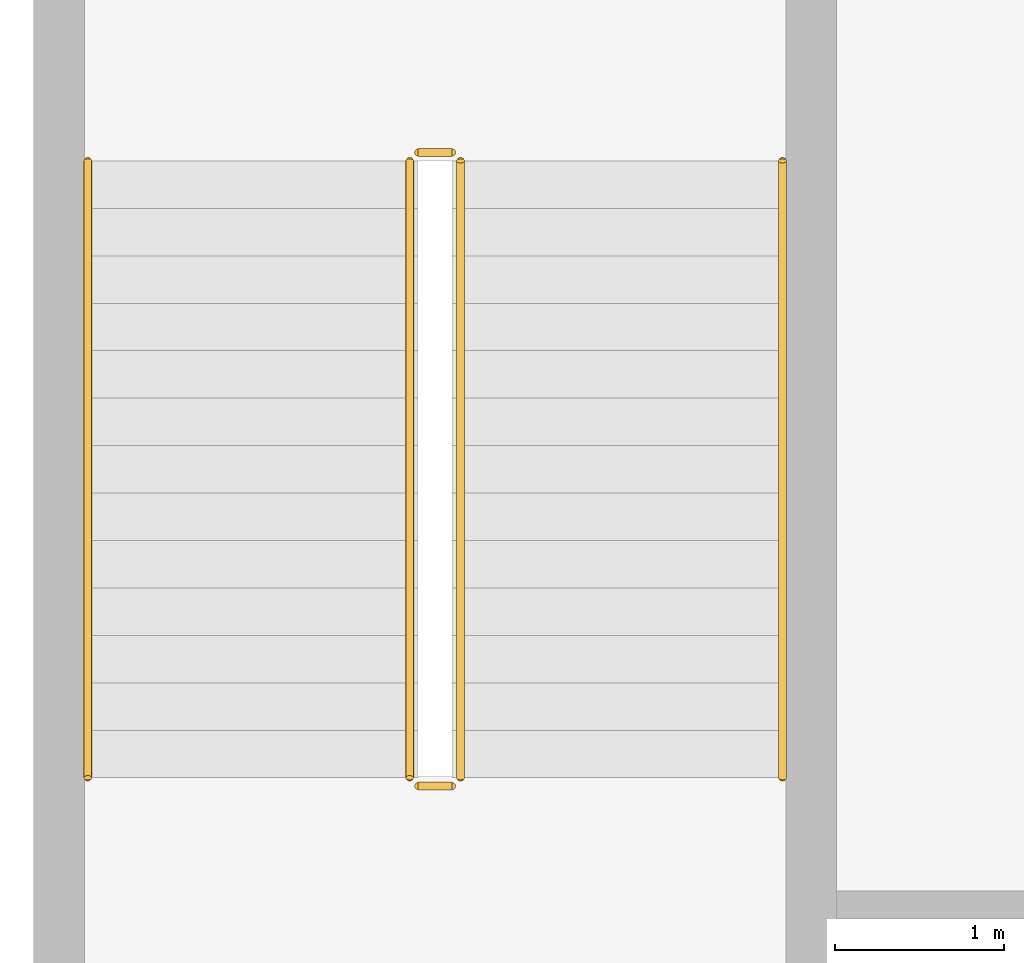
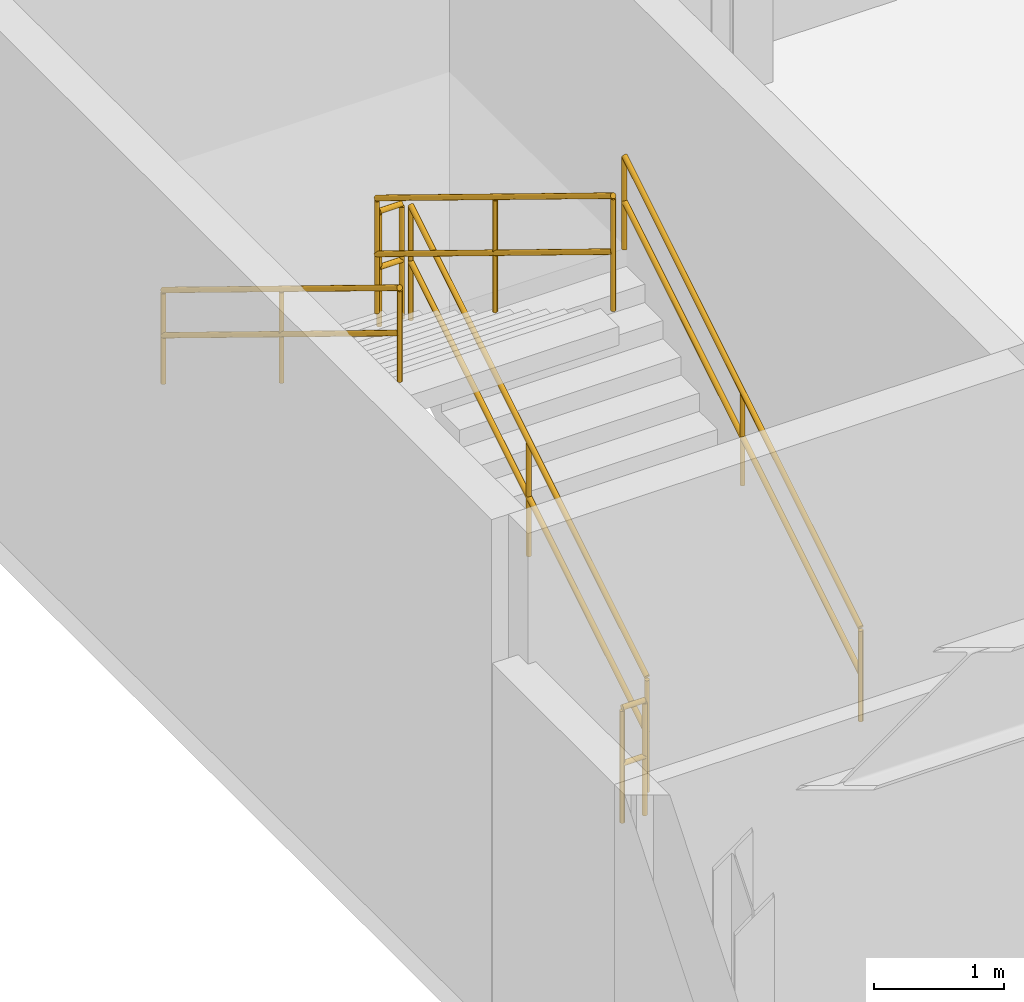
# One storey, part 21 of 22: 6 railings.
"""IFC4 building model written with IfcOpenShell, lengths in metres."""

from ifc_helpers import new_model, si_unit, direction, frame, origin, origin_2d, place, context, subcontext, project, spatial, circle, extrude, material, type_object, element, save


model = new_model("IFC4")

# Units and contexts
model_context = context("Model", 3, precision=1e-05, world=origin(), true_north=direction((0.0, 1.0)))
body_context = subcontext(model_context, "Body", "Model", "MODEL_VIEW")
ifc_project = project(units=[si_unit("LENGTHUNIT", "METRE"), si_unit("AREAUNIT", "SQUARE_METRE"), si_unit("VOLUMEUNIT", "CUBIC_METRE"), si_unit("PLANEANGLEUNIT", "RADIAN"), si_unit("MASSUNIT", "GRAM", prefix="KILO")], contexts=[model_context])

# Site, building, storey
site_placement = place(None, origin())
site = spatial("IfcSite", under=ifc_project, at=site_placement, CompositionType="ELEMENT")
building_placement = place(site_placement, origin())
building = spatial("IfcBuilding", under=site, at=building_placement, Name="Veldorina Hangang Commons", CompositionType="ELEMENT")
storey_placement = place(building_placement, frame((0.0, 0.0, 14.800048828125)))
storey = spatial("IfcBuildingStorey", under=building, at=storey_placement, Name="L03", CompositionType="ELEMENT", Elevation=14.800048828125)

# Railings
ifc_material_1 = material(Name="Steel Painted Balustrade", Category="steel")
railing_type_1 = type_object("IfcRailingType", Name="RL-GRD-STAIR", PredefinedType="GUARDRAIL", material=ifc_material_1)
railing_1_placement = place(storey_placement, frame((6.449951171875, 36.39990234375, 0.17138671875)))
element("IfcRailing", 1, at=railing_1_placement, inside=storey, type_object=railing_type_1, Name="L03 ST-P1 stair guard 1", PredefinedType="GUARDRAIL", context=body_context, shape_type="SweptSolid", body=[
    extrude(circle(Radius=0.02392578125, at=origin_2d()), frame((0.0, 0.0, 1.076171875), z_axis=(0.0, 0.852865859571, 0.52213008492), x_axis=(-1.0, 0.0, 0.0)), (0.0, 0.0, 1.0), 4.26806640625),
    extrude(circle(Radius=0.02392578125, at=origin_2d()), frame((0.0, 0.0, 0.550048828125), z_axis=(0.0, 0.852865859571, 0.52213008492), x_axis=(-1.0, 0.0, 0.0)), (0.0, 0.0, 1.0), 4.26806640625),
    extrude(circle(Radius=0.02099609375, at=origin_2d()), origin(), (0.0, 0.0, 1.0), 1.052001953125),
    extrude(circle(Radius=0.02099609375, at=origin_2d()), frame((0.0, 1.820068359375, 1.1142578125)), (0.0, 0.0, 1.0), 1.052001953125),
    extrude(circle(Radius=0.02099609375, at=origin_2d()), frame((0.0, 3.64013671875, 2.228515625)), (0.0, 0.0, 1.0), 1.052001953125),
])
railing_2_placement = place(storey_placement, frame((6.39990234375, 40.090087890625, 2.39990234375)))
element("IfcRailing", 2, at=railing_2_placement, inside=storey, type_object=railing_type_1, Name="L03 ST-P1 stair guard 2", PredefinedType="GUARDRAIL", context=body_context, shape_type="SweptSolid", body=[
    extrude(circle(Radius=0.02392578125, at=origin_2d()), frame((0.0, 0.0, 1.076171875), z_axis=(-1.0, 0.0, 0.0), x_axis=(0.0, -1.0, 0.0)), (0.0, 0.0, 1.0), 0.199951171875),
    extrude(circle(Radius=0.02392578125, at=origin_2d()), frame((0.0, 0.0, 0.550048828125), z_axis=(-1.0, 0.0, 0.0), x_axis=(0.0, -1.0, 0.0)), (0.0, 0.0, 1.0), 0.199951171875),
    extrude(circle(Radius=0.02099609375, at=origin_2d()), origin(), (0.0, 0.0, 1.0), 1.052001953125),
    extrude(circle(Radius=0.02099609375, at=origin_2d()), frame((-0.199951171875, 0.0, 0.0)), (0.0, 0.0, 1.0), 1.052001953125),
])
railing_3_placement = place(storey_placement, frame((6.14990234375, 40.0400390625, 2.5712890625)))
element("IfcRailing", 3, at=railing_3_placement, inside=storey, type_object=railing_type_1, Name="L03 ST-P1 stair guard 3", PredefinedType="GUARDRAIL", context=body_context, shape_type="SweptSolid", body=[
    extrude(circle(Radius=0.02392578125, at=origin_2d()), frame((0.0, 0.0, 1.076171875), z_axis=(0.0, -0.852840387347, 0.522171689878), x_axis=(1.0, 0.0, 0.0)), (0.0, 0.0, 1.0), 4.268310546875),
    extrude(circle(Radius=0.02392578125, at=origin_2d()), frame((0.0, 0.0, 0.550048828125), z_axis=(0.0, -0.852840387347, 0.522171689878), x_axis=(1.0, 0.0, 0.0)), (0.0, 0.0, 1.0), 4.268310546875),
    extrude(circle(Radius=0.02099609375, at=origin_2d()), origin(), (0.0, 0.0, 1.0), 1.052001953125),
    extrude(circle(Radius=0.02099609375, at=origin_2d()), frame((0.0, -1.820068359375, 1.1142578125)), (0.0, 0.0, 1.0), 1.052001953125),
    extrude(circle(Radius=0.02099609375, at=origin_2d()), frame((0.0, -3.64013671875, 2.228759765625)), (0.0, 0.0, 1.0), 1.052001953125),
])
railing_4_placement = place(storey_placement, frame((6.39990234375, 36.35009765625, 0.0)))
element("IfcRailing", 4, at=railing_4_placement, inside=storey, type_object=railing_type_1, Name="L03 ST-P1 stair guard 4", PredefinedType="GUARDRAIL", context=body_context, shape_type="SweptSolid", body=[
    extrude(circle(Radius=0.02392578125, at=origin_2d()), frame((0.0, 0.0, 1.076171875), z_axis=(-1.0, 0.0, 0.0), x_axis=(0.0, -1.0, 0.0)), (0.0, 0.0, 1.0), 0.199951171875),
    extrude(circle(Radius=0.02392578125, at=origin_2d()), frame((0.0, 0.0, 0.550048828125), z_axis=(-1.0, 0.0, 0.0), x_axis=(0.0, -1.0, 0.0)), (0.0, 0.0, 1.0), 0.199951171875),
    extrude(circle(Radius=0.02099609375, at=origin_2d()), origin(), (0.0, 0.0, 1.0), 1.052001953125),
    extrude(circle(Radius=0.02099609375, at=origin_2d()), frame((-0.199951171875, 0.0, 0.0)), (0.0, 0.0, 1.0), 1.052001953125),
])
ifc_material_2 = material(Name="Stainless Steel Brushed 316", Category="steel")
railing_type_2 = type_object("IfcRailingType", Name="RL-HND-STAIR", PredefinedType="HANDRAIL", material=ifc_material_2)
railing_5_placement = place(storey_placement, frame((8.35009765625, 36.39990234375, 0.17138671875)))
element("IfcRailing", 5, at=railing_5_placement, inside=storey, type_object=railing_type_2, Name="L03 ST-P1 stair handrail 1", PredefinedType="HANDRAIL", context=body_context, shape_type="SweptSolid", body=[
    extrude(circle(Radius=0.02392578125, at=origin_2d()), frame((0.0, 0.0, 0.8759765625), z_axis=(0.0, 0.852865859571, 0.52213008492), x_axis=(-1.0, 0.0, 0.0)), (0.0, 0.0, 1.0), 4.26806640625),
    extrude(circle(Radius=0.02392578125, at=origin_2d()), frame((0.0, 0.0, 0.449951171875), z_axis=(0.0, 0.852865859571, 0.52213008492), x_axis=(-1.0, 0.0, 0.0)), (0.0, 0.0, 1.0), 4.26806640625),
    extrude(circle(Radius=0.02099609375, at=origin_2d()), origin(), (0.0, 0.0, 1.0), 0.851806640625),
    extrude(circle(Radius=0.02099609375, at=origin_2d()), frame((0.0, 1.820068359375, 1.1142578125)), (0.0, 0.0, 1.0), 0.851806640625),
    extrude(circle(Radius=0.02099609375, at=origin_2d()), frame((0.0, 3.64013671875, 2.228515625)), (0.0, 0.0, 1.0), 0.851806640625),
])
railing_6_placement = place(storey_placement, frame((4.25, 40.0400390625, 2.5712890625)))
element("IfcRailing", 6, at=railing_6_placement, inside=storey, type_object=railing_type_2, Name="L03 ST-P1 stair handrail 2", PredefinedType="HANDRAIL", context=body_context, shape_type="SweptSolid", body=[
    extrude(circle(Radius=0.02392578125, at=origin_2d()), frame((0.0, 0.0, 0.8759765625), z_axis=(0.0, -0.852840387347, 0.522171689878), x_axis=(1.0, 0.0, 0.0)), (0.0, 0.0, 1.0), 4.268310546875),
    extrude(circle(Radius=0.02392578125, at=origin_2d()), frame((0.0, 0.0, 0.449951171875), z_axis=(0.0, -0.852840387347, 0.522171689878), x_axis=(1.0, 0.0, 0.0)), (0.0, 0.0, 1.0), 4.268310546875),
    extrude(circle(Radius=0.02099609375, at=origin_2d()), origin(), (0.0, 0.0, 1.0), 0.851806640625),
    extrude(circle(Radius=0.02099609375, at=origin_2d()), frame((0.0, -1.820068359375, 1.1142578125)), (0.0, 0.0, 1.0), 0.851806640625),
    extrude(circle(Radius=0.02099609375, at=origin_2d()), frame((0.0, -3.64013671875, 2.228759765625)), (0.0, 0.0, 1.0), 0.851806640625),
])

save(model, "model.ifc")
